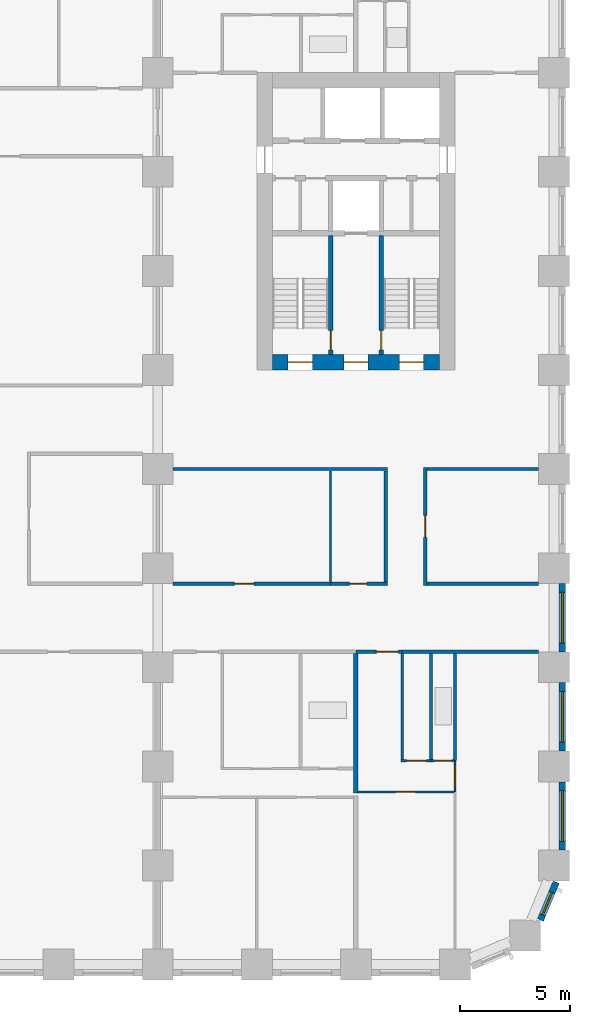
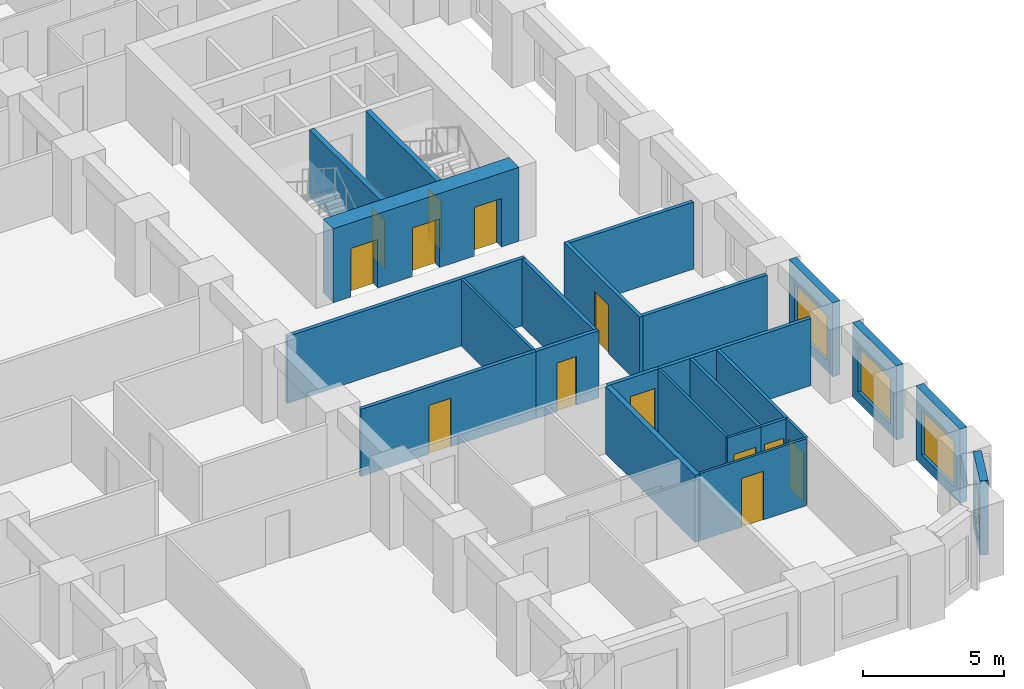
# One storey, part 5 of 12: 25 walls, 13 doors, 4 windows, 17 openings.
"""IFC4 building model written with IfcOpenShell, lengths in metres."""

from ifc_helpers import new_model, si_unit, direction, frame, frame_2d, origin, place, context, subcontext, project, spatial, rectangle, extrude, material, layer, layer_set, type_object, element, fill, save


model = new_model("IFC4")

# Units and contexts
model_context = context("Model", 3, precision=1e-05, world=origin(), true_north=direction((0.0, 1.0)))
body_context = subcontext(model_context, "Body", "Model", "MODEL_VIEW")
ifc_project = project(units=[si_unit("LENGTHUNIT", "METRE"), si_unit("AREAUNIT", "SQUARE_METRE"), si_unit("VOLUMEUNIT", "CUBIC_METRE"), si_unit("PLANEANGLEUNIT", "RADIAN"), si_unit("MASSUNIT", "GRAM", prefix="KILO")], contexts=[model_context])

# Site, building, storey
site_placement = place(None, origin())
site = spatial("IfcSite", under=ifc_project, at=site_placement, CompositionType="ELEMENT")
building_placement = place(site_placement, origin())
building = spatial("IfcBuilding", under=site, at=building_placement, Name="Girih Gate Residences", CompositionType="ELEMENT")
storey_placement = place(building_placement, frame((0.0, 0.0, 59.199951171875)))
storey = spatial("IfcBuildingStorey", under=building, at=storey_placement, Name="L15", CompositionType="ELEMENT", Elevation=59.199951171875)

# Wall, opening, door
ifc_material_1 = material(Name="Gypsum board on steel studs", Category="steel")
ifc_layer_1 = layer(ifc_material_1, 0.14990234375)
ifc_layer_set_1 = layer_set([ifc_layer_1], Name="Compartment wall 150 mm")
wall_type_1 = type_object("IfcWallType", Name="Compartment wall 150 mm", PredefinedType="PARTITIONING", material=ifc_layer_set_1)
wall_1_placement = place(storey_placement, frame((42.60009765625, 14.199951171875, 0.0), z_axis=(0.0, 0.0, 1.0), x_axis=(-1.0, 0.0, 0.0)))
wall_1 = element("IfcWall", 1, at=wall_1_placement, inside=storey, type_object=wall_type_1, Name="L15 partition", PredefinedType="PARTITIONING", context=body_context, shape_type="SweptSolid", body=[
    extrude(rectangle(XDim=2.10009765625, YDim=0.14990234375, at=frame_2d((1.050048828125, 0.0))), origin(), (0.0, 0.0, 1.0), 2.900146484375),
])
opening_1_placement = place(wall_1_placement, frame((0.175048828125, 0.0, 0.0)))
opening_1 = element("IfcOpeningElement", 2, at=opening_1_placement, cuts=wall_1, Name="Opening A15-022", PredefinedType="OPENING", context=body_context, shape_type="SweptSolid", body=[
    extrude(rectangle(XDim=1.0, YDim=2.10009765625, at=frame_2d((0.5, 1.050048828125))), frame((0.0, 0.0849609375, 0.0), z_axis=(0.0, -1.0, 0.0), x_axis=(1.0, 0.0, 0.0)), (0.0, 0.0, 1.0), 0.169921875),
])
ifc_material_2 = material(Name="Timber, fire-rated core", Category="wood")
door_type_1 = type_object("IfcDoorType", Name="Flat entrance door 1000x2100 FD30S", OperationType="NOTDEFINED", PredefinedType="DOOR", material=ifc_material_2)
door_1_placement = place(opening_1_placement, origin())
door_1 = element("IfcDoor", 3, at=door_1_placement, inside=storey, type_object=door_type_1, Name="Door A15-022", OperationType="SINGLE_SWING_LEFT", OverallHeight=2.10009765625, OverallWidth=1.0, PredefinedType="DOOR", context=body_context, shape_type="SweptSolid", body=[
    extrude(rectangle(XDim=1.0, YDim=2.10009765625, at=frame_2d((0.5, 1.050048828125))), frame((0.0, 0.02490234375, 0.0), z_axis=(0.0, -1.0, 0.0), x_axis=(1.0, 0.0, 0.0)), (0.0, 0.0, 1.0), 0.050048828125),
])
fill(opening_1, door_1)

# Wall
wall_2_placement = place(storey_placement, frame((42.60009765625, 14.199951171875, 0.0), z_axis=(0.0, 0.0, 1.0), x_axis=(1.0, 0.0, 0.0)))
element("IfcWall", 4, at=wall_2_placement, inside=storey, type_object=wall_type_1, Name="L15 partition", PredefinedType="PARTITIONING", context=body_context, shape_type="SweptSolid", body=[
    extrude(rectangle(XDim=6.199951171875, YDim=0.14990234375, at=frame_2d((3.10009765625, 0.0))), origin(), (0.0, 0.0, 1.0), 2.900146484375),
])

# Wall, opening, door
wall_3_placement = place(storey_placement, frame((32.199951171875, 17.300048828125, 0.0), z_axis=(0.0, 0.0, 1.0), x_axis=(1.0, 0.0, 0.0)))
wall_3 = element("IfcWall", 5, at=wall_3_placement, inside=storey, type_object=wall_type_1, Name="L15 partition", PredefinedType="PARTITIONING", context=body_context, shape_type="SweptSolid", body=[
    extrude(rectangle(XDim=7.150146484375, YDim=0.14990234375, at=frame_2d((3.5751953125, 0.0))), origin(), (0.0, 0.0, 1.0), 2.900146484375),
])
opening_2_placement = place(wall_3_placement, frame((2.77490234375, 0.0, 0.0)))
opening_2 = element("IfcOpeningElement", 6, at=opening_2_placement, cuts=wall_3, Name="Opening A15-047", PredefinedType="OPENING", context=body_context, shape_type="SweptSolid", body=[
    extrude(rectangle(XDim=0.89990234375, YDim=2.10009765625, at=frame_2d((0.449951171875, 1.050048828125))), frame((0.0, 0.0849609375, 0.0), z_axis=(0.0, -1.0, 0.0), x_axis=(1.0, 0.0, 0.0)), (0.0, 0.0, 1.0), 0.169921875),
])
ifc_material_3 = material(Name="Timber", Category="wood")
door_type_2 = type_object("IfcDoorType", Name="Service room door 900x2100", OperationType="NOTDEFINED", PredefinedType="DOOR", material=ifc_material_3)
door_2_placement = place(opening_2_placement, origin())
door_2 = element("IfcDoor", 7, at=door_2_placement, inside=storey, type_object=door_type_2, Name="Door A15-047", OperationType="SINGLE_SWING_LEFT", OverallHeight=2.10009765625, OverallWidth=0.89990234375, PredefinedType="DOOR", context=body_context, shape_type="SweptSolid", body=[
    extrude(rectangle(XDim=0.89990234375, YDim=2.10009765625, at=frame_2d((0.449951171875, 1.050048828125))), frame((0.0, 0.02490234375, 0.0), z_axis=(0.0, -1.0, 0.0), x_axis=(1.0, 0.0, 0.0)), (0.0, 0.0, 1.0), 0.050048828125),
])
fill(opening_2, door_2)

wall_4_placement = place(storey_placement, frame((39.35009765625, 17.300048828125, 0.0), z_axis=(0.0, 0.0, 1.0), x_axis=(1.0, 0.0, 0.0)))
wall_4 = element("IfcWall", 8, at=wall_4_placement, inside=storey, type_object=wall_type_1, Name="L15 partition", PredefinedType="PARTITIONING", context=body_context, shape_type="SweptSolid", body=[
    extrude(rectangle(XDim=2.574951171875, YDim=0.14990234375, at=frame_2d((1.28759765625, 0.0))), origin(), (0.0, 0.0, 1.0), 2.900146484375),
])
opening_3_placement = place(wall_4_placement, frame((0.85009765625, 0.0, 0.0)))
opening_3 = element("IfcOpeningElement", 9, at=opening_3_placement, cuts=wall_4, Name="Opening A15-049", PredefinedType="OPENING", context=body_context, shape_type="SweptSolid", body=[
    extrude(rectangle(XDim=0.800048828125, YDim=2.10009765625, at=frame_2d((0.39990234375, 1.050048828125))), frame((0.0, 0.0849609375, 0.0), z_axis=(0.0, -1.0, 0.0), x_axis=(1.0, 0.0, 0.0)), (0.0, 0.0, 1.0), 0.169921875),
])
door_type_3 = type_object("IfcDoorType", Name="Bathroom door 800x2100", OperationType="NOTDEFINED", PredefinedType="DOOR", material=ifc_material_3)
door_3_placement = place(opening_3_placement, origin())
door_3 = element("IfcDoor", 10, at=door_3_placement, inside=storey, type_object=door_type_3, Name="Door A15-049", OperationType="SINGLE_SWING_LEFT", OverallHeight=2.10009765625, OverallWidth=0.800048828125, PredefinedType="DOOR", context=body_context, shape_type="SweptSolid", body=[
    extrude(rectangle(XDim=0.800048828125, YDim=2.10009765625, at=frame_2d((0.39990234375, 1.050048828125))), frame((0.0, 0.02490234375, 0.0), z_axis=(0.0, -1.0, 0.0), x_axis=(1.0, 0.0, 0.0)), (0.0, 0.0, 1.0), 0.050048828125),
])
fill(opening_3, door_3)

# Walls
wall_5_placement = place(storey_placement, frame((43.72509765625, 17.300048828125, 0.0), z_axis=(0.0, 0.0, 1.0), x_axis=(1.0, 0.0, 0.0)))
element("IfcWall", 11, at=wall_5_placement, inside=storey, type_object=wall_type_1, Name="L15 partition", PredefinedType="PARTITIONING", context=body_context, shape_type="SweptSolid", body=[
    extrude(rectangle(XDim=5.074951171875, YDim=0.14990234375, at=frame_2d((2.53759765625, 0.0))), origin(), (0.0, 0.0, 1.0), 2.900146484375),
])
wall_6_placement = place(storey_placement, frame((32.199951171875, 22.5, 0.0), z_axis=(0.0, 0.0, 1.0), x_axis=(1.0, 0.0, 0.0)))
element("IfcWall", 12, at=wall_6_placement, inside=storey, type_object=wall_type_1, Name="L15 partition", PredefinedType="PARTITIONING", context=body_context, shape_type="SweptSolid", body=[
    extrude(rectangle(XDim=9.72509765625, YDim=0.14990234375, at=frame_2d((4.862548828125, 0.0))), origin(), (0.0, 0.0, 1.0), 2.900146484375),
])
wall_7_placement = place(storey_placement, frame((43.72509765625, 22.5, 0.0), z_axis=(0.0, 0.0, 1.0), x_axis=(1.0, 0.0, 0.0)))
element("IfcWall", 13, at=wall_7_placement, inside=storey, type_object=wall_type_1, Name="L15 partition", PredefinedType="PARTITIONING", context=body_context, shape_type="SweptSolid", body=[
    extrude(rectangle(XDim=5.074951171875, YDim=0.14990234375, at=frame_2d((2.53759765625, 0.0))), origin(), (0.0, 0.0, 1.0), 2.900146484375),
])
wall_8_placement = place(storey_placement, frame((41.85009765625, 17.375, 0.0), z_axis=(0.0, 0.0, 1.0), x_axis=(0.0, 1.0, 0.0)))
element("IfcWall", 14, at=wall_8_placement, inside=storey, type_object=wall_type_1, Name="L15 partition", PredefinedType="PARTITIONING", context=body_context, shape_type="SweptSolid", body=[
    extrude(rectangle(XDim=5.050048828125, YDim=0.14990234375, at=frame_2d((2.52490234375, 0.0))), origin(), (0.0, 0.0, 1.0), 2.900146484375),
])

# Wall, opening, door
wall_9_placement = place(storey_placement, frame((43.64990234375, 22.574951171875, 0.0), z_axis=(0.0, 0.0, 1.0), x_axis=(0.0, -1.0, 0.0)))
wall_9 = element("IfcWall", 15, at=wall_9_placement, inside=storey, type_object=wall_type_1, Name="L15 partition", PredefinedType="PARTITIONING", context=body_context, shape_type="SweptSolid", body=[
    extrude(rectangle(XDim=5.349853515625, YDim=0.14990234375, at=frame_2d((2.6748046875, 0.0))), origin(), (0.0, 0.0, 1.0), 2.900146484375),
])
opening_4_placement = place(wall_9_placement, frame((2.175048828125, 0.0, 0.0)))
opening_4 = element("IfcOpeningElement", 16, at=opening_4_placement, cuts=wall_9, Name="Opening A15-051", PredefinedType="OPENING", context=body_context, shape_type="SweptSolid", body=[
    extrude(rectangle(XDim=1.0, YDim=2.10009765625, at=frame_2d((0.5, 1.050048828125))), frame((0.0, 0.0849609375, 0.0), z_axis=(0.0, -1.0, 0.0), x_axis=(1.0, 0.0, 0.0)), (0.0, 0.0, 1.0), 0.169921875),
])
door_type_4 = type_object("IfcDoorType", Name="Amenity room door 1000x2100 FD30S", OperationType="NOTDEFINED", PredefinedType="DOOR", material=ifc_material_2)
door_4_placement = place(opening_4_placement, origin())
door_4 = element("IfcDoor", 17, at=door_4_placement, inside=storey, type_object=door_type_4, Name="Door A15-051", OperationType="SINGLE_SWING_RIGHT", OverallHeight=2.10009765625, OverallWidth=1.0, PredefinedType="DOOR", context=body_context, shape_type="SweptSolid", body=[
    extrude(rectangle(XDim=1.0, YDim=2.10009765625, at=frame_2d((0.5, 1.050048828125))), frame((0.0, 0.02490234375, 0.0), z_axis=(0.0, -1.0, 0.0), x_axis=(1.0, 0.0, 0.0)), (0.0, 0.0, 1.0), 0.050048828125),
])
fill(opening_4, door_4)

# Wall, openings, doors
ifc_material_4 = material(Name="Concrete C60/75", Category="concrete")
ifc_layer_2 = layer(ifc_material_4, 0.699951171875)
ifc_layer_set_2 = layer_set([ifc_layer_2], Name="Core wall RC 700 Concrete C60/75")
wall_type_2 = type_object("IfcWallType", Name="Core wall RC 700 Concrete C60/75", PredefinedType="SOLIDWALL", material=ifc_layer_set_2)
wall_10_placement = place(storey_placement, frame((36.699951171875, 27.35009765625, 0.0), z_axis=(0.0, 0.0, 1.0), x_axis=(1.0, 0.0, 0.0)))
wall_10 = element("IfcWall", 18, at=wall_10_placement, inside=storey, type_object=wall_type_2, Name="Core wall E-S L15", PredefinedType="SOLIDWALL", context=body_context, shape_type="SweptSolid", body=[
    extrude(rectangle(XDim=7.60009765625, YDim=0.699951171875, at=frame_2d((3.800048828125, 0.0))), origin(), (0.0, 0.0, 1.0), 3.199951171875),
])
opening_5_placement = place(wall_10_placement, frame((5.77490234375, 0.0, 0.0)))
opening_5 = element("IfcOpeningElement", 19, at=opening_5_placement, cuts=wall_10, Name="Opening D-L15-E-011", PredefinedType="OPENING", context=body_context, shape_type="SweptSolid", body=[
    extrude(rectangle(XDim=1.10009765625, YDim=2.10009765625, at=frame_2d((0.550048828125, 1.050048828125))), frame((0.0, 0.35986328125, 0.0), z_axis=(0.0, -1.0, 0.0), x_axis=(1.0, 0.0, 0.0)), (0.0, 0.0, 1.0), 0.719970703125),
])
opening_6_placement = place(wall_10_placement, frame((3.25, 0.0, 0.0)))
opening_6 = element("IfcOpeningElement", 20, at=opening_6_placement, cuts=wall_10, Name="Opening D-L15-E-012", PredefinedType="OPENING", context=body_context, shape_type="SweptSolid", body=[
    extrude(rectangle(XDim=1.10009765625, YDim=2.10009765625, at=frame_2d((0.550048828125, 1.050048828125))), frame((0.0, 0.35986328125, 0.0), z_axis=(0.0, -1.0, 0.0), x_axis=(1.0, 0.0, 0.0)), (0.0, 0.0, 1.0), 0.719970703125),
])
opening_7_placement = place(wall_10_placement, frame((0.72509765625, 0.0, 0.0)))
opening_7 = element("IfcOpeningElement", 21, at=opening_7_placement, cuts=wall_10, Name="Opening D-L15-E-013", PredefinedType="OPENING", context=body_context, shape_type="SweptSolid", body=[
    extrude(rectangle(XDim=1.10009765625, YDim=2.10009765625, at=frame_2d((0.550048828125, 1.050048828125))), frame((0.0, 0.35986328125, 0.0), z_axis=(0.0, -1.0, 0.0), x_axis=(1.0, 0.0, 0.0)), (0.0, 0.0, 1.0), 0.719970703125),
])
ifc_material_5 = material(Name="Painted steel, fire-resisting", Category="steel")
door_type_5 = type_object("IfcDoorType", Name="Fire door 1100x2100", OperationType="SINGLE_SWING_LEFT", PredefinedType="DOOR", material=ifc_material_5)
door_5_placement = place(opening_5_placement, origin())
door_5 = element("IfcDoor", 22, at=door_5_placement, inside=storey, type_object=door_type_5, Name="L15 E core door sta-out", OperationType="SINGLE_SWING_LEFT", OverallHeight=2.10009765625, OverallWidth=1.10009765625, PredefinedType="DOOR", context=body_context, shape_type="SweptSolid", body=[
    extrude(rectangle(XDim=1.10009765625, YDim=2.10009765625, at=frame_2d((0.550048828125, 1.050048828125))), frame((0.0, 0.02490234375, 0.0), z_axis=(0.0, -1.0, 0.0), x_axis=(1.0, 0.0, 0.0)), (0.0, 0.0, 1.0), 0.050048828125),
])
fill(opening_5, door_5)
door_6_placement = place(opening_6_placement, origin())
door_6 = element("IfcDoor", 23, at=door_6_placement, inside=storey, type_object=door_type_5, Name="L15 E core door ffl-out", OperationType="SINGLE_SWING_LEFT", OverallHeight=2.10009765625, OverallWidth=1.10009765625, PredefinedType="DOOR", context=body_context, shape_type="SweptSolid", body=[
    extrude(rectangle(XDim=1.10009765625, YDim=2.10009765625, at=frame_2d((0.550048828125, 1.050048828125))), frame((0.0, 0.02490234375, 0.0), z_axis=(0.0, -1.0, 0.0), x_axis=(1.0, 0.0, 0.0)), (0.0, 0.0, 1.0), 0.050048828125),
])
fill(opening_6, door_6)
door_7_placement = place(opening_7_placement, origin())
door_7 = element("IfcDoor", 24, at=door_7_placement, inside=storey, type_object=door_type_5, Name="L15 E core door stb-out", OperationType="SINGLE_SWING_LEFT", OverallHeight=2.10009765625, OverallWidth=1.10009765625, PredefinedType="DOOR", context=body_context, shape_type="SweptSolid", body=[
    extrude(rectangle(XDim=1.10009765625, YDim=2.10009765625, at=frame_2d((0.550048828125, 1.050048828125))), frame((0.0, 0.02490234375, 0.0), z_axis=(0.0, -1.0, 0.0), x_axis=(1.0, 0.0, 0.0)), (0.0, 0.0, 1.0), 0.050048828125),
])
fill(opening_7, door_7)

# Wall, opening, door
ifc_layer_3 = layer(ifc_material_1, 0.10009765625)
ifc_layer_set_3 = layer_set([ifc_layer_3], Name="Partition 100 mm")
wall_type_3 = type_object("IfcWallType", Name="Partition 100 mm", PredefinedType="PARTITIONING", material=ifc_layer_set_3)
wall_11_placement = place(storey_placement, frame((44.949951171875, 7.840087890625, 0.0), z_axis=(0.0, 0.0, 1.0), x_axis=(-1.0, 0.0, 0.0)))
wall_11 = element("IfcWall", 25, at=wall_11_placement, inside=storey, type_object=wall_type_3, Name="L15 partition", PredefinedType="PARTITIONING", context=body_context, shape_type="SweptSolid", body=[
    extrude(rectangle(XDim=4.349853515625, YDim=0.10009765625, at=frame_2d((2.1748046875, 0.0))), origin(), (0.0, 0.0, 1.0), 2.900146484375),
])
opening_8_placement = place(wall_11_placement, frame((1.75, 0.0, 0.0)))
opening_8 = element("IfcOpeningElement", 26, at=opening_8_placement, cuts=wall_11, Name="Opening A15-019", PredefinedType="OPENING", context=body_context, shape_type="SweptSolid", body=[
    extrude(rectangle(XDim=0.89990234375, YDim=2.10009765625, at=frame_2d((0.449951171875, 1.050048828125))), frame((0.0, 0.06005859375, 0.0), z_axis=(0.0, -1.0, 0.0), x_axis=(1.0, 0.0, 0.0)), (0.0, 0.0, 1.0), 0.1201171875),
])
door_type_6 = type_object("IfcDoorType", Name="Bedroom door 900x2100", OperationType="NOTDEFINED", PredefinedType="DOOR", material=ifc_material_3)
door_8_placement = place(opening_8_placement, origin())
door_8 = element("IfcDoor", 27, at=door_8_placement, inside=storey, type_object=door_type_6, Name="Door A15-019", OperationType="SINGLE_SWING_RIGHT", OverallHeight=2.10009765625, OverallWidth=0.89990234375, PredefinedType="DOOR", context=body_context, shape_type="SweptSolid", body=[
    extrude(rectangle(XDim=0.89990234375, YDim=2.10009765625, at=frame_2d((0.449951171875, 1.050048828125))), frame((0.0, 0.02490234375, 0.0), z_axis=(0.0, -1.0, 0.0), x_axis=(1.0, 0.0, 0.0)), (0.0, 0.0, 1.0), 0.050048828125),
])
fill(opening_8, door_8)

# Wall
wall_12_placement = place(storey_placement, frame((42.60009765625, 9.31005859375, 0.0), z_axis=(0.0, 0.0, 1.0), x_axis=(0.0, 1.0, 0.0)))
element("IfcWall", 28, at=wall_12_placement, inside=storey, type_object=wall_type_3, Name="L15 partition", PredefinedType="PARTITIONING", context=body_context, shape_type="SweptSolid", body=[
    extrude(rectangle(XDim=4.81494140625, YDim=0.10009765625, at=frame_2d((2.407470703125, 0.0))), origin(), (0.0, 0.0, 1.0), 2.900146484375),
])

# Wall, opening, door
wall_13_placement = place(storey_placement, frame((42.550048828125, 9.260009765625, 0.0), z_axis=(0.0, 0.0, 1.0), x_axis=(1.0, 0.0, 0.0)))
wall_13 = element("IfcWall", 29, at=wall_13_placement, inside=storey, type_object=wall_type_3, Name="L15 partition", PredefinedType="PARTITIONING", context=body_context, shape_type="SweptSolid", body=[
    extrude(rectangle(XDim=1.359130859375, YDim=0.10009765625, at=frame_2d((0.6796875, 0.0))), origin(), (0.0, 0.0, 1.0), 2.900146484375),
])
opening_9_placement = place(wall_13_placement, frame((0.25439453125, 0.0, 0.0)))
opening_9 = element("IfcOpeningElement", 30, at=opening_9_placement, cuts=wall_13, Name="Opening A15-020", PredefinedType="OPENING", context=body_context, shape_type="SweptSolid", body=[
    extrude(rectangle(XDim=0.89990234375, YDim=2.10009765625, at=frame_2d((0.449951171875, 1.050048828125))), frame((0.0, 0.06005859375, 0.0), z_axis=(0.0, -1.0, 0.0), x_axis=(1.0, 0.0, 0.0)), (0.0, 0.0, 1.0), 0.1201171875),
])
door_type_7 = type_object("IfcDoorType", Name="Kitchen door 900x2100", OperationType="NOTDEFINED", PredefinedType="DOOR", material=ifc_material_3)
door_9_placement = place(opening_9_placement, origin())
door_9 = element("IfcDoor", 31, at=door_9_placement, inside=storey, type_object=door_type_7, Name="Door A15-020", OperationType="SINGLE_SWING_RIGHT", OverallHeight=2.10009765625, OverallWidth=0.89990234375, PredefinedType="DOOR", context=body_context, shape_type="SweptSolid", body=[
    extrude(rectangle(XDim=0.89990234375, YDim=2.10009765625, at=frame_2d((0.449951171875, 1.050048828125))), frame((0.0, 0.02490234375, 0.0), z_axis=(0.0, -1.0, 0.0), x_axis=(1.0, 0.0, 0.0)), (0.0, 0.0, 1.0), 0.050048828125),
])
fill(opening_9, door_9)

wall_14_placement = place(storey_placement, frame((45.0, 9.260009765625, 0.0), z_axis=(0.0, 0.0, 1.0), x_axis=(0.0, -1.0, 0.0)))
wall_14 = element("IfcWall", 32, at=wall_14_placement, inside=storey, type_object=wall_type_3, Name="L15 partition", PredefinedType="PARTITIONING", context=body_context, shape_type="SweptSolid", body=[
    extrude(rectangle(XDim=1.419921875, YDim=0.10009765625, at=frame_2d((0.7099609375, 0.0))), origin(), (0.0, 0.0, 1.0), 2.900146484375),
])
opening_10_placement = place(wall_14_placement, frame((0.2099609375, 0.0, 0.0)))
opening_10 = element("IfcOpeningElement", 33, at=opening_10_placement, cuts=wall_14, Name="Opening A15-021", PredefinedType="OPENING", context=body_context, shape_type="SweptSolid", body=[
    extrude(rectangle(XDim=1.0, YDim=2.10009765625, at=frame_2d((0.5, 1.050048828125))), frame((0.0, 0.06005859375, 0.0), z_axis=(0.0, -1.0, 0.0), x_axis=(1.0, 0.0, 0.0)), (0.0, 0.0, 1.0), 0.1201171875),
])
door_type_8 = type_object("IfcDoorType", Name="Living room door 1000x2100", OperationType="NOTDEFINED", PredefinedType="DOOR", material=ifc_material_3)
door_10_placement = place(opening_10_placement, origin())
door_10 = element("IfcDoor", 34, at=door_10_placement, inside=storey, type_object=door_type_8, Name="Door A15-021", OperationType="SINGLE_SWING_RIGHT", OverallHeight=2.10009765625, OverallWidth=1.0, PredefinedType="DOOR", context=body_context, shape_type="SweptSolid", body=[
    extrude(rectangle(XDim=1.0, YDim=2.10009765625, at=frame_2d((0.5, 1.050048828125))), frame((0.0, 0.02490234375, 0.0), z_axis=(0.0, -1.0, 0.0), x_axis=(1.0, 0.0, 0.0)), (0.0, 0.0, 1.0), 0.050048828125),
])
fill(opening_10, door_10)

# Walls
wall_15_placement = place(storey_placement, frame((39.35009765625, 17.375, 0.0), z_axis=(0.0, 0.0, 1.0), x_axis=(0.0, 1.0, 0.0)))
element("IfcWall", 35, at=wall_15_placement, inside=storey, type_object=wall_type_3, Name="L15 partition", PredefinedType="PARTITIONING", context=body_context, shape_type="SweptSolid", body=[
    extrude(rectangle(XDim=5.050048828125, YDim=0.10009765625, at=frame_2d((2.52490234375, 0.0))), origin(), (0.0, 0.0, 1.0), 2.900146484375),
])
ifc_layer_4 = layer(ifc_material_1, 0.199951171875)
ifc_layer_set_4 = layer_set([ifc_layer_4], Name="Party wall 200 mm")
wall_type_4 = type_object("IfcWallType", Name="Party wall 200 mm", PredefinedType="PARTITIONING", material=ifc_layer_set_4)
wall_16_placement = place(storey_placement, frame((40.5, 7.7900390625, 0.0), z_axis=(0.0, 0.0, 1.0), x_axis=(0.0, 1.0, 0.0)))
element("IfcWall", 36, at=wall_16_placement, inside=storey, type_object=wall_type_4, Name="L15 partition", PredefinedType="PARTITIONING", context=body_context, shape_type="SweptSolid", body=[
    extrude(rectangle(XDim=6.3349609375, YDim=0.199951171875, at=frame_2d((3.16748046875, 0.0))), origin(), (0.0, 0.0, 1.0), 2.900146484375),
])

# Wall, opening, window
ifc_material_6 = material(Name="Precast concrete C50/60", Category="concrete")
ifc_layer_5 = layer(ifc_material_6, 0.080078125, Name="Outer leaf")
ifc_material_7 = material(Name="Rigid PIR insulation")
ifc_layer_6 = layer(ifc_material_7, 0.14990234375, Name="Insulation")
ifc_material_8 = material(Name="Precast concrete C40/50", Category="concrete")
ifc_layer_7 = layer(ifc_material_8, 0.070068359375, Name="Inner leaf")
ifc_layer_set_5 = layer_set([ifc_layer_5, ifc_layer_6, ifc_layer_7], Name="Precast concrete C50/60 external wall 300")
wall_type_5 = type_object("IfcWallType", Name="Precast concrete C50/60 external wall 300", PredefinedType="SOLIDWALL", material=ifc_layer_set_5)
wall_17_placement = place(storey_placement, frame((49.59228515625, 3.74267578125, 0.0), z_axis=(0.0, 0.0, 1.0), x_axis=(-0.382737135771, -0.923857286003, 0.0)))
wall_17 = element("IfcWall", 37, at=wall_17_placement, inside=storey, type_object=wall_type_5, Name="External wall SE0482_0013.0", PredefinedType="SOLIDWALL", context=body_context, shape_type="SweptSolid", body=[
    extrude(rectangle(XDim=1.865234375, YDim=0.300048828125, at=frame_2d((0.9326171875, 0.0))), origin(), (0.0, 0.0, 1.0), 3.199951171875),
])
opening_11_placement = place(wall_17_placement, frame((0.507568359375, 0.0, 0.449951171875)))
opening_11 = element("IfcOpeningElement", 38, at=opening_11_placement, cuts=wall_17, Name="Opening W-2C", PredefinedType="OPENING", context=body_context, shape_type="SweptSolid", body=[
    extrude(rectangle(XDim=1.10009765625, YDim=1.949951171875, at=frame_2d((0.550048828125, 0.97509765625))), frame((0.0, 0.159912109375, 0.0), z_axis=(0.0, -1.0, 0.0), x_axis=(1.0, 0.0, 0.0)), (0.0, 0.0, 1.0), 0.320068359375),
])
ifc_material_9 = material(Name="Double glazing in aluminium frame", Category="aluminium")
window_type_1 = type_object("IfcWindowType", Name="Window W-2C 1100x1950", PartitioningType="SINGLE_PANEL", PredefinedType="WINDOW", material=ifc_material_9)
window_1_placement = place(opening_11_placement, origin())
window_1 = element("IfcWindow", 39, at=window_1_placement, inside=storey, type_object=window_type_1, Name="Window W-2C SE0482_0013.0", OverallHeight=1.949951171875, OverallWidth=1.10009765625, PartitioningType="SINGLE_PANEL", PredefinedType="WINDOW", context=body_context, shape_type="SweptSolid", body=[
    extrude(rectangle(XDim=1.10009765625, YDim=1.949951171875, at=frame_2d((0.550048828125, 0.97509765625))), frame((0.0, 0.030029296875, 0.0), z_axis=(0.0, -1.0, 0.0), x_axis=(1.0, 0.0, 0.0)), (0.0, 0.0, 1.0), 0.06005859375),
])
fill(opening_11, window_1)

wall_18_placement = place(storey_placement, frame((49.875, 8.300048828125, 0.0), z_axis=(0.0, 0.0, 1.0), x_axis=(0.0, -1.0, 0.0)))
wall_18 = element("IfcWall", 40, at=wall_18_placement, inside=storey, type_object=wall_type_5, Name="External wall E0495_0045.0", PredefinedType="SOLIDWALL", context=body_context, shape_type="SweptSolid", body=[
    extrude(rectangle(XDim=3.10009765625, YDim=0.300048828125, at=frame_2d((1.550048828125, 0.0))), origin(), (0.0, 0.0, 1.0), 3.199951171875),
])
opening_12_placement = place(wall_18_placement, frame((0.39990234375, 0.0, 0.449951171875)))
opening_12 = element("IfcOpeningElement", 41, at=opening_12_placement, cuts=wall_18, Name="Opening W-1", PredefinedType="OPENING", context=body_context, shape_type="SweptSolid", body=[
    extrude(rectangle(XDim=2.300048828125, YDim=1.949951171875, at=frame_2d((1.14990234375, 0.97509765625))), frame((0.0, 0.159912109375, 0.0), z_axis=(0.0, -1.0, 0.0), x_axis=(1.0, 0.0, 0.0)), (0.0, 0.0, 1.0), 0.320068359375),
])
window_type_2 = type_object("IfcWindowType", Name="Window W-1 2300x1950", PartitioningType="SINGLE_PANEL", PredefinedType="WINDOW", material=ifc_material_9)
window_2_placement = place(opening_12_placement, origin())
window_2 = element("IfcWindow", 42, at=window_2_placement, inside=storey, type_object=window_type_2, Name="Window W-1 E0495_0045.0", OverallHeight=1.949951171875, OverallWidth=2.300048828125, PartitioningType="SINGLE_PANEL", PredefinedType="WINDOW", context=body_context, shape_type="SweptSolid", body=[
    extrude(rectangle(XDim=2.300048828125, YDim=1.949951171875, at=frame_2d((1.14990234375, 0.97509765625))), frame((0.0, 0.030029296875, 0.0), z_axis=(0.0, -1.0, 0.0), x_axis=(1.0, 0.0, 0.0)), (0.0, 0.0, 1.0), 0.06005859375),
])
fill(opening_12, window_2)

wall_19_placement = place(storey_placement, frame((49.875, 12.800048828125, 0.0), z_axis=(0.0, 0.0, 1.0), x_axis=(0.0, -1.0, 0.0)))
wall_19 = element("IfcWall", 43, at=wall_19_placement, inside=storey, type_object=wall_type_5, Name="External wall E0495_0045.1", PredefinedType="SOLIDWALL", context=body_context, shape_type="SweptSolid", body=[
    extrude(rectangle(XDim=3.10009765625, YDim=0.300048828125, at=frame_2d((1.550048828125, 0.0))), origin(), (0.0, 0.0, 1.0), 3.199951171875),
])
opening_13_placement = place(wall_19_placement, frame((0.39990234375, 0.0, 0.449951171875)))
opening_13 = element("IfcOpeningElement", 44, at=opening_13_placement, cuts=wall_19, Name="Opening W-1", PredefinedType="OPENING", context=body_context, shape_type="SweptSolid", body=[
    extrude(rectangle(XDim=2.300048828125, YDim=1.949951171875, at=frame_2d((1.14990234375, 0.97509765625))), frame((0.0, 0.159912109375, 0.0), z_axis=(0.0, -1.0, 0.0), x_axis=(1.0, 0.0, 0.0)), (0.0, 0.0, 1.0), 0.320068359375),
])
window_3_placement = place(opening_13_placement, origin())
window_3 = element("IfcWindow", 45, at=window_3_placement, inside=storey, type_object=window_type_2, Name="Window W-1 E0495_0045.1", OverallHeight=1.949951171875, OverallWidth=2.300048828125, PartitioningType="SINGLE_PANEL", PredefinedType="WINDOW", context=body_context, shape_type="SweptSolid", body=[
    extrude(rectangle(XDim=2.300048828125, YDim=1.949951171875, at=frame_2d((1.14990234375, 0.97509765625))), frame((0.0, 0.030029296875, 0.0), z_axis=(0.0, -1.0, 0.0), x_axis=(1.0, 0.0, 0.0)), (0.0, 0.0, 1.0), 0.06005859375),
])
fill(opening_13, window_3)

wall_20_placement = place(storey_placement, frame((49.875, 17.300048828125, 0.0), z_axis=(0.0, 0.0, 1.0), x_axis=(0.0, -1.0, 0.0)))
wall_20 = element("IfcWall", 46, at=wall_20_placement, inside=storey, type_object=wall_type_5, Name="External wall E0495_0045.2", PredefinedType="SOLIDWALL", context=body_context, shape_type="SweptSolid", body=[
    extrude(rectangle(XDim=3.10009765625, YDim=0.300048828125, at=frame_2d((1.550048828125, 0.0))), origin(), (0.0, 0.0, 1.0), 3.199951171875),
])
opening_14_placement = place(wall_20_placement, frame((0.39990234375, 0.0, 0.449951171875)))
opening_14 = element("IfcOpeningElement", 47, at=opening_14_placement, cuts=wall_20, Name="Opening W-1", PredefinedType="OPENING", context=body_context, shape_type="SweptSolid", body=[
    extrude(rectangle(XDim=2.300048828125, YDim=1.949951171875, at=frame_2d((1.14990234375, 0.97509765625))), frame((0.0, 0.159912109375, 0.0), z_axis=(0.0, -1.0, 0.0), x_axis=(1.0, 0.0, 0.0)), (0.0, 0.0, 1.0), 0.320068359375),
])
window_4_placement = place(opening_14_placement, origin())
window_4 = element("IfcWindow", 48, at=window_4_placement, inside=storey, type_object=window_type_2, Name="Window W-1 E0495_0045.2", OverallHeight=1.949951171875, OverallWidth=2.300048828125, PartitioningType="SINGLE_PANEL", PredefinedType="WINDOW", context=body_context, shape_type="SweptSolid", body=[
    extrude(rectangle(XDim=2.300048828125, YDim=1.949951171875, at=frame_2d((1.14990234375, 0.97509765625))), frame((0.0, 0.030029296875, 0.0), z_axis=(0.0, -1.0, 0.0), x_axis=(1.0, 0.0, 0.0)), (0.0, 0.0, 1.0), 0.06005859375),
])
fill(opening_14, window_4)

# Wall, opening, door
ifc_material_10 = material(Name="Concrete C40/50", Category="concrete")
ifc_layer_8 = layer(ifc_material_10, 0.199951171875)
ifc_layer_set_6 = layer_set([ifc_layer_8], Name="Shaft wall 200")
wall_type_6 = type_object("IfcWallType", Name="Shaft wall 200", PredefinedType="SOLIDWALL", material=ifc_layer_set_6)
wall_21_placement = place(storey_placement, frame((41.64990234375, 27.699951171875, 0.0), z_axis=(0.0, 0.0, 1.0), x_axis=(0.0, 1.0, 0.0)))
wall_21 = element("IfcWall", 49, at=wall_21_placement, inside=storey, type_object=wall_type_6, Name="L15 E core wall V1a", PredefinedType="SOLIDWALL", context=body_context, shape_type="SweptSolid", body=[
    extrude(rectangle(XDim=5.400146484375, YDim=0.199951171875, at=frame_2d((2.7001953125, 0.0))), origin(), (0.0, 0.0, 1.0), 2.900146484375),
])
opening_15_placement = place(wall_21_placement, frame((0.199951171875, 0.0, 0.0)))
opening_15 = element("IfcOpeningElement", 50, at=opening_15_placement, cuts=wall_21, Name="Opening D-L15-E-001", PredefinedType="OPENING", context=body_context, shape_type="SweptSolid", body=[
    extrude(rectangle(XDim=0.89990234375, YDim=2.10009765625, at=frame_2d((0.449951171875, 1.050048828125))), frame((0.0, 0.10986328125, 0.0), z_axis=(0.0, -1.0, 0.0), x_axis=(1.0, 0.0, 0.0)), (0.0, 0.0, 1.0), 0.219970703125),
])
door_type_9 = type_object("IfcDoorType", Name="Fire door 900x2100", OperationType="SINGLE_SWING_LEFT", PredefinedType="DOOR", material=ifc_material_5)
door_11_placement = place(opening_15_placement, origin())
door_11 = element("IfcDoor", 51, at=door_11_placement, inside=storey, type_object=door_type_9, Name="L15 E door stair 1 to firefighting lobby", OperationType="SINGLE_SWING_LEFT", OverallHeight=2.10009765625, OverallWidth=0.89990234375, PredefinedType="DOOR", context=body_context, shape_type="SweptSolid", body=[
    extrude(rectangle(XDim=0.89990234375, YDim=2.10009765625, at=frame_2d((0.449951171875, 1.050048828125))), frame((0.0, 0.02490234375, 0.0), z_axis=(0.0, -1.0, 0.0), x_axis=(1.0, 0.0, 0.0)), (0.0, 0.0, 1.0), 0.050048828125),
])
fill(opening_15, door_11)

wall_22_placement = place(storey_placement, frame((39.35009765625, 27.699951171875, 0.0), z_axis=(0.0, 0.0, 1.0), x_axis=(0.0, 1.0, 0.0)))
wall_22 = element("IfcWall", 52, at=wall_22_placement, inside=storey, type_object=wall_type_6, Name="L15 E core wall V2a", PredefinedType="SOLIDWALL", context=body_context, shape_type="SweptSolid", body=[
    extrude(rectangle(XDim=5.400146484375, YDim=0.199951171875, at=frame_2d((2.7001953125, 0.0))), origin(), (0.0, 0.0, 1.0), 2.900146484375),
])
opening_16_placement = place(wall_22_placement, frame((0.199951171875, 0.0, 0.0)))
opening_16 = element("IfcOpeningElement", 53, at=opening_16_placement, cuts=wall_22, Name="Opening D-L15-E-002", PredefinedType="OPENING", context=body_context, shape_type="SweptSolid", body=[
    extrude(rectangle(XDim=0.89990234375, YDim=2.10009765625, at=frame_2d((0.449951171875, 1.050048828125))), frame((0.0, 0.10986328125, 0.0), z_axis=(0.0, -1.0, 0.0), x_axis=(1.0, 0.0, 0.0)), (0.0, 0.0, 1.0), 0.219970703125),
])
door_12_placement = place(opening_16_placement, origin())
door_12 = element("IfcDoor", 54, at=door_12_placement, inside=storey, type_object=door_type_9, Name="L15 E door stair 2 to firefighting lobby", OperationType="SINGLE_SWING_LEFT", OverallHeight=2.10009765625, OverallWidth=0.89990234375, PredefinedType="DOOR", context=body_context, shape_type="SweptSolid", body=[
    extrude(rectangle(XDim=0.89990234375, YDim=2.10009765625, at=frame_2d((0.449951171875, 1.050048828125))), frame((0.0, 0.02490234375, 0.0), z_axis=(0.0, -1.0, 0.0), x_axis=(1.0, 0.0, 0.0)), (0.0, 0.0, 1.0), 0.050048828125),
])
fill(opening_16, door_12)

ifc_layer_9 = layer(ifc_material_1, 0.125)
ifc_layer_set_7 = layer_set([ifc_layer_9], Name="Wet room wall 125 mm")
wall_type_7 = type_object("IfcWallType", Name="Wet room wall 125 mm", PredefinedType="PARTITIONING", material=ifc_layer_set_7)
wall_23_placement = place(storey_placement, frame((43.9091796875, 9.260009765625, 0.0), z_axis=(0.0, 0.0, 1.0), x_axis=(1.0, 0.0, 0.0)))
wall_23 = element("IfcWall", 55, at=wall_23_placement, inside=storey, type_object=wall_type_7, Name="L15 partition", PredefinedType="PARTITIONING", context=body_context, shape_type="SweptSolid", body=[
    extrude(rectangle(XDim=1.0283203125, YDim=0.125, at=frame_2d((0.51416015625, 0.0))), origin(), (0.0, 0.0, 1.0), 2.900146484375),
])
opening_17_placement = place(wall_23_placement, frame((0.1455078125, 0.0, 0.0)))
opening_17 = element("IfcOpeningElement", 56, at=opening_17_placement, cuts=wall_23, Name="Opening A15-018", PredefinedType="OPENING", context=body_context, shape_type="SweptSolid", body=[
    extrude(rectangle(XDim=0.800048828125, YDim=2.10009765625, at=frame_2d((0.39990234375, 1.050048828125))), frame((0.0, 0.072509765625, 0.0), z_axis=(0.0, -1.0, 0.0), x_axis=(1.0, 0.0, 0.0)), (0.0, 0.0, 1.0), 0.14501953125),
])
door_13_placement = place(opening_17_placement, origin())
door_13 = element("IfcDoor", 57, at=door_13_placement, inside=storey, type_object=door_type_3, Name="Door A15-018", OperationType="SINGLE_SWING_RIGHT", OverallHeight=2.10009765625, OverallWidth=0.800048828125, PredefinedType="DOOR", context=body_context, shape_type="SweptSolid", body=[
    extrude(rectangle(XDim=0.800048828125, YDim=2.10009765625, at=frame_2d((0.39990234375, 1.050048828125))), frame((0.0, 0.02490234375, 0.0), z_axis=(0.0, -1.0, 0.0), x_axis=(1.0, 0.0, 0.0)), (0.0, 0.0, 1.0), 0.050048828125),
])
fill(opening_17, door_13)

# Walls
wall_24_placement = place(storey_placement, frame((43.908935546875, 9.322509765625, 0.0), z_axis=(0.0, 0.0, 1.0), x_axis=(0.0, 1.0, 0.0)))
element("IfcWall", 58, at=wall_24_placement, inside=storey, type_object=wall_type_7, Name="L15 partition", PredefinedType="PARTITIONING", context=body_context, shape_type="SweptSolid", body=[
    extrude(rectangle(XDim=4.802490234375, YDim=0.125, at=frame_2d((2.4013671875, 0.0))), origin(), (0.0, 0.0, 1.0), 2.900146484375),
])
wall_25_placement = place(storey_placement, frame((45.0, 9.260009765625, 0.0), z_axis=(0.0, 0.0, 1.0), x_axis=(0.0, 1.0, 0.0)))
element("IfcWall", 59, at=wall_25_placement, inside=storey, type_object=wall_type_7, Name="L15 partition", PredefinedType="PARTITIONING", context=body_context, shape_type="SweptSolid", body=[
    extrude(rectangle(XDim=4.864990234375, YDim=0.125, at=frame_2d((2.4326171875, 0.0))), origin(), (0.0, 0.0, 1.0), 2.900146484375),
])

save(model, "model.ifc")
